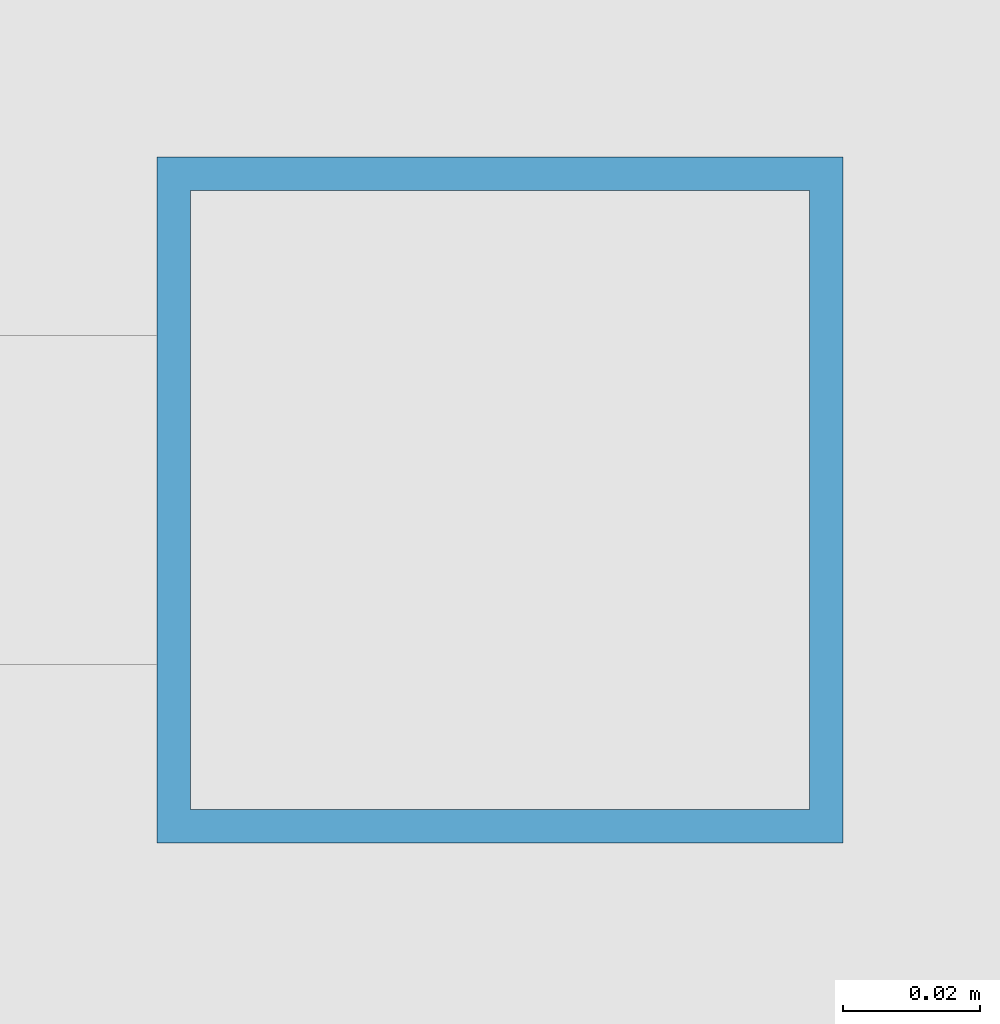
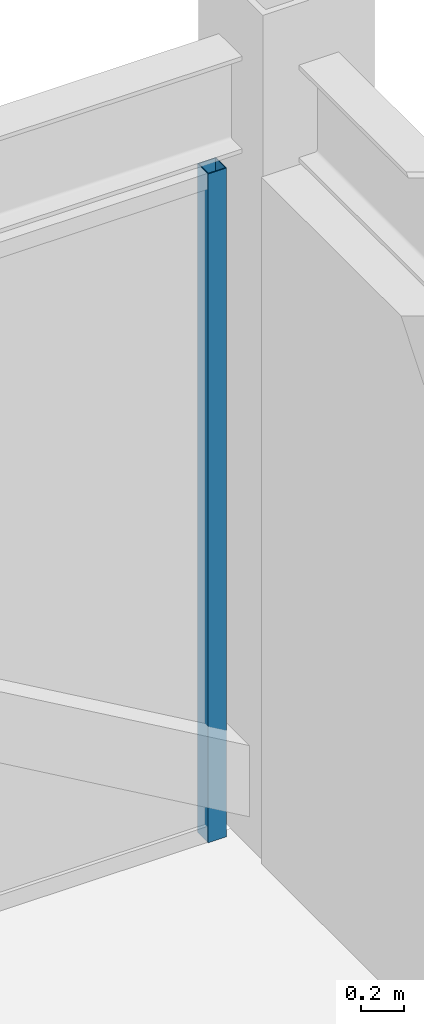
# One storey, part 22 of 27: 1 member, 1 element without a shape of its own.
"""IFC4 building model written with IfcOpenShell, lengths in metres."""

import ifcopenshell
import ifcopenshell.guid

model = None  # the IFC model being written
_history = None  # IfcOwnerHistory: only IFC2X3 demands one
_inside = {}  # id of a spatial element -> (the spatial element, [elements in it])
_under = {}  # id of a project, library or spatial element -> (it, [spatial elements below it])
_declared = {}  # id of a project -> (the project, [libraries it declares])
_typed = {}  # id of a type object -> (the type object, [elements of that type])
_made_of = {}  # id of a material, layer set ... -> (it, [elements and type objects made of it])


def new_model(schema):
    """Start an empty IFC model of exactly this schema.

    Asked for "IFC4X3", IfcOpenShell would pick the latest addendum, in which some entities
    have other attributes; the version numbers below select the first issue.
    IFC2X3 requires an IfcOwnerHistory on every rooted entity: one is made here for all.
    """
    global model, _history
    if schema == "IFC4X3":
        model = ifcopenshell.file(schema_version=(4, 3, 0, 0))
    else:
        model = ifcopenshell.file(schema=schema)
    _inside.clear()
    _under.clear()
    _declared.clear()
    _typed.clear()
    _made_of.clear()
    _history = None
    if model.schema == "IFC2X3":
        org = make("IfcOrganization", Name="unknown")
        user = make(
            "IfcPersonAndOrganization",
            ThePerson=make("IfcPerson", FamilyName="unknown"),
            TheOrganization=org,
        )
        app = make(
            "IfcApplication",
            ApplicationDeveloper=org,
            Version="unknown",
            ApplicationFullName="unknown",
            ApplicationIdentifier="unknown",
        )
        _history = make(
            "IfcOwnerHistory",
            OwningUser=user,
            OwningApplication=app,
            ChangeAction="ADDED",
            CreationDate=0,
        )
    return model


def make(cls, **values):
    """One entity of the class cls with the attributes given. An attribute that is None is left unset."""
    return model.create_entity(
        cls, **{name: value for name, value in values.items() if value is not None}
    )


def rooted(cls, **values):
    """An entity with a GlobalId (a new one), such as an element, a storey or a relation."""
    return make(cls, GlobalId=ifcopenshell.guid.new(), OwnerHistory=_history, **values)


def si_unit(unit_type, name, prefix=None):
    """IfcSIUnit, for example si_unit("LENGTHUNIT", "METRE", prefix="MILLI")."""
    return make("IfcSIUnit", UnitType=unit_type, Prefix=prefix, Name=name)


def assignment(units):
    """IfcUnitAssignment: the units of a project."""
    return None if units is None else make("IfcUnitAssignment", Units=units)


def point(xyz):
    """IfcCartesianPoint."""
    return None if xyz is None else make("IfcCartesianPoint", Coordinates=xyz)


def direction(xyz):
    """IfcDirection."""
    return None if xyz is None else make("IfcDirection", DirectionRatios=xyz)


def frame(location, z_axis=None, x_axis=None):
    """IfcAxis2Placement3D, a coordinate frame: its origin and axes. An axis left out is left unset."""
    return make(
        "IfcAxis2Placement3D",
        Location=point(location),
        Axis=direction(z_axis),
        RefDirection=direction(x_axis),
    )


def frame_2d(location, x_axis=None):
    """IfcAxis2Placement2D, a coordinate frame in the plane: its origin and x axis."""
    return make(
        "IfcAxis2Placement2D", Location=point(location), RefDirection=direction(x_axis)
    )


def origin():
    """The frame at (0, 0, 0) with its axes left unset."""
    return frame((0.0, 0.0, 0.0))


def origin_2d():
    """The frame at (0, 0) in the plane with its x axis left unset."""
    return frame_2d((0.0, 0.0))


def place(relative_to, where):
    """IfcLocalPlacement: puts the frame where relative to a parent placement (None: the world)."""
    return make(
        "IfcLocalPlacement", PlacementRelTo=relative_to, RelativePlacement=where
    )


def context(
    kind, dimensions, precision=None, world=None, true_north=None, identifier=None
):
    """IfcGeometricRepresentationContext, for example the 3D "Model" context."""
    return make(
        "IfcGeometricRepresentationContext",
        ContextIdentifier=identifier,
        ContextType=kind,
        CoordinateSpaceDimension=dimensions,
        Precision=precision,
        WorldCoordinateSystem=world,
        TrueNorth=true_north,
    )


def subcontext(parent, identifier, kind, view, scale=None):
    """IfcGeometricRepresentationSubContext, for example "Body" below "Model"."""
    return make(
        "IfcGeometricRepresentationSubContext",
        ContextIdentifier=identifier,
        ContextType=kind,
        ParentContext=parent,
        TargetScale=scale,
        TargetView=view,
    )


def project(units=None, contexts=None):
    """IfcProject with its units and contexts."""
    return rooted(
        "IfcProject",
        Name="project",
        RepresentationContexts=contexts,
        UnitsInContext=assignment(units),
    )


def spatial(cls, under=None, at=None, **own):
    """A site, building, storey or space (cls), placed at a placement, below another one or the project."""
    s = rooted(cls, ObjectPlacement=at, **own)
    if under is not None:
        _under.setdefault(under.id(), (under, []))[1].append(s)
    return s


def profile(cls, at=None, kind="AREA", **sizes):
    """A parametric profile (cls). Its sizes go by their IFC names, for example OverallWidth=200.0."""
    return make(cls, ProfileType=kind, Position=at, **sizes)


def hollow_rectangle(**sizes):
    """IfcRectangleHollowProfileDef."""
    return profile("IfcRectangleHollowProfileDef", **sizes)


def extrude(swept, where, along, depth):
    """IfcExtrudedAreaSolid: the profile swept, set in the frame where, extruded along a direction by depth."""
    return make(
        "IfcExtrudedAreaSolid",
        SweptArea=swept,
        Position=where,
        ExtrudedDirection=direction(along),
        Depth=depth,
    )


def shape(context_of_items, identifier, shape_type, items):
    """IfcShapeRepresentation: the items that make up one representation, for example the "Body"."""
    return make(
        "IfcShapeRepresentation",
        ContextOfItems=context_of_items,
        RepresentationIdentifier=identifier,
        RepresentationType=shape_type,
        Items=items,
    )


def source(mapping_origin, context_of_items, identifier, shape_type, items):
    """IfcRepresentationMap: a shape defined once, which mapped items show again and again."""
    return make(
        "IfcRepresentationMap",
        MappingOrigin=mapping_origin,
        MappedRepresentation=shape(context_of_items, identifier, shape_type, items),
    )


def transform(
    local_origin,
    x_axis=None,
    y_axis=None,
    z_axis=None,
    scale=None,
    scale2=None,
    scale3=None,
    uniform=True,
):
    """IfcCartesianTransformationOperator3D, or its non-uniform kind. x_axis, y_axis, z_axis: its Axis1, 2, 3."""
    if uniform:
        return make(
            "IfcCartesianTransformationOperator3D",
            Axis1=direction(x_axis),
            Axis2=direction(y_axis),
            LocalOrigin=point(local_origin),
            Scale=scale,
            Axis3=direction(z_axis),
        )
    return make(
        "IfcCartesianTransformationOperator3DnonUniform",
        Axis1=direction(x_axis),
        Axis2=direction(y_axis),
        LocalOrigin=point(local_origin),
        Scale=scale,
        Axis3=direction(z_axis),
        Scale2=scale2,
        Scale3=scale3,
    )


def mapped(mapping_source, mapping_target):
    """IfcMappedItem: shows the shape of a source again, moved by a transform."""
    return make(
        "IfcMappedItem", MappingSource=mapping_source, MappingTarget=mapping_target
    )


def material(Name=None, Category=None):
    """IfcMaterial."""
    return make("IfcMaterial", Name=Name, Category=Category)


def material_profile(
    of_material, cross_section, Name=None, Category=None, Priority=None
):
    """IfcMaterialProfile: a cross section and its material."""
    return make(
        "IfcMaterialProfile",
        Name=Name,
        Material=of_material,
        Profile=cross_section,
        Priority=Priority,
        Category=Category,
    )


def profile_set(profiles, Name=None, composite=None):
    """IfcMaterialProfileSet."""
    return make(
        "IfcMaterialProfileSet",
        Name=Name,
        MaterialProfiles=profiles,
        CompositeProfile=composite,
    )


def made_of(thing, what):
    """Note that an element or type object is made of a material, layer set ...; save() writes the relation."""
    if what is not None:
        _made_of.setdefault(what.id(), (what, []))[1].append(thing)
    return thing


def type_object(cls, material=None, **own):
    """A type object (cls), such as IfcWallType, which elements share."""
    return made_of(rooted(cls, **own), material)


def element(
    cls,
    number,
    at=None,
    inside=None,
    cuts=None,
    type_object=None,
    material=None,
    context=None,
    identifier="Body",
    shape_type=None,
    held_by="IfcProductDefinitionShape",
    body=None,
    shapes=None,
    **own,
):
    """One element of the class cls, such as IfcWall. Its Tag is "e" and its number.

    at: its placement. inside: the storey or other place that contains it. cuts: it is an
    opening in that element (IfcRelVoidsElement). A single representation is given by context,
    identifier, shape_type and body (its items); several are given by shapes. held_by: the class
    of the entity that holds the representations. save() writes the other relations.
    """
    e = rooted(cls, Tag="e%d" % number, ObjectPlacement=at, **own)
    if body is not None:
        shapes = [shape(context, identifier, shape_type, body)]
    if shapes is not None:
        e.Representation = make(held_by, Representations=shapes)
    if inside is not None:
        _inside.setdefault(inside.id(), (inside, []))[1].append(e)
    if cuts is not None:
        rooted(
            "IfcRelVoidsElement", RelatingBuildingElement=cuts, RelatedOpeningElement=e
        )
    if type_object is not None:
        _typed.setdefault(type_object.id(), (type_object, []))[1].append(e)
    return made_of(e, material)


def aggregate(whole, parts):
    """IfcRelAggregates: a whole, such as a stair, and the parts it consists of."""
    return rooted("IfcRelAggregates", RelatingObject=whole, RelatedObjects=parts)


def save(model, path):
    """Write the relations noted so far, then the file.

    IfcRelAggregates (storeys below a building ...), IfcRelContainedInSpatialStructure (elements
    in a storey), IfcRelDefinesByType, IfcRelAssociatesMaterial and IfcRelDeclares: one each for
    every whole, place, type object, material and project.
    """
    for whole, parts in _under.values():
        aggregate(whole, parts)
    for where, things in _inside.values():
        rooted(
            "IfcRelContainedInSpatialStructure",
            RelatedElements=things,
            RelatingStructure=where,
        )
    for kind, things in _typed.values():
        rooted("IfcRelDefinesByType", RelatedObjects=things, RelatingType=kind)
    for what, things in _made_of.values():
        rooted("IfcRelAssociatesMaterial", RelatedObjects=things, RelatingMaterial=what)
    for by, libraries in _declared.values():
        rooted("IfcRelDeclares", RelatingContext=by, RelatedDefinitions=libraries)
    model.write(path)


model = new_model("IFC4")

# Units and contexts
model_context = context("Model", 3, precision=1e-05, world=origin(), true_north=direction((0.0, 1.0)))
body_context = subcontext(model_context, "Body", "Model", "MODEL_VIEW")
ifc_project = project(units=[si_unit("LENGTHUNIT", "METRE"), si_unit("AREAUNIT", "SQUARE_METRE"), si_unit("VOLUMEUNIT", "CUBIC_METRE"), si_unit("PLANEANGLEUNIT", "RADIAN"), si_unit("MASSUNIT", "GRAM", prefix="KILO")], contexts=[model_context])

# Site, building, storey
site_placement = place(None, origin())
site = spatial("IfcSite", under=ifc_project, at=site_placement, CompositionType="ELEMENT")
building_placement = place(site_placement, origin())
building = spatial("IfcBuilding", under=site, at=building_placement, Name="Khorayat Bourse Tower", CompositionType="ELEMENT")
storey_placement = place(building_placement, frame((0.0, 0.0, 380.300048828125)))
storey = spatial("IfcBuildingStorey", under=building, at=storey_placement, Name="L90", CompositionType="ELEMENT", Elevation=380.300048828125)

# Curtain wall, member
ifc_material = material(Name="Aluminium EN AW-6063 T6", Category="aluminium")
curtain_wall_type = type_object("IfcCurtainWallType", Name="CW-SYS-07", PredefinedType="NOTDEFINED", material=ifc_material)
curtain_wall_placement = place(storey_placement, origin())
curtain_wall = element("IfcCurtainWall", 1, at=curtain_wall_placement, inside=storey, type_object=curtain_wall_type, Name="L90 Curtain Wall CW-L90-N1", PredefinedType="NOTDEFINED")
ifc_material_profile = material_profile(ifc_material, hollow_rectangle(XDim=0.10009765625, YDim=0.10009765625, WallThickness=0.0048828125, at=origin_2d()), Name="ALU 100x100x5")
ifc_profile_set = profile_set([ifc_material_profile], Name="Aluminium EN AW-6063 T6")
member_type = type_object("IfcMemberType", Name="CWM-LANTERN-100", PredefinedType="MULLION", material=ifc_profile_set)
shared_shape = source(origin(), body_context, "Body", "SweptSolid", [
    extrude(hollow_rectangle(XDim=0.10009765625, YDim=0.10009765625, WallThickness=0.0048828125, at=origin_2d()), origin(), (0.0, 0.0, 1.0), 3.800048828125),
])
member_placement = place(storey_placement, frame((17.60009765625, 24.0, 0.0), z_axis=(0.0, 0.0, 1.0), x_axis=(0.0, 1.0, 0.0)))
member = element("IfcMember", 2, at=member_placement, type_object=member_type, Name="CW-L90-N1 Vertical Mullion 3", PredefinedType="MULLION", context=body_context, shape_type="MappedRepresentation", body=[
    mapped(shared_shape, transform((0.0, 0.0, 0.0), scale=1.0)),
])
aggregate(curtain_wall, [member])

save(model, "model.ifc")
